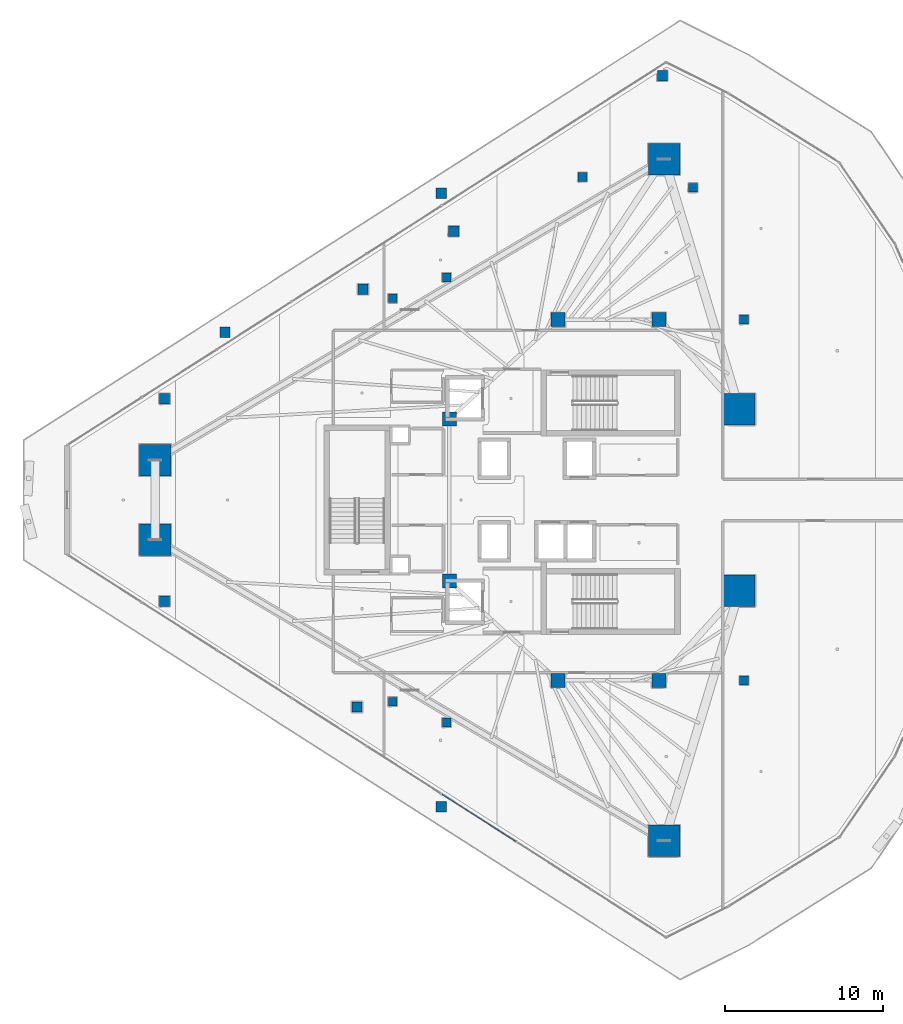
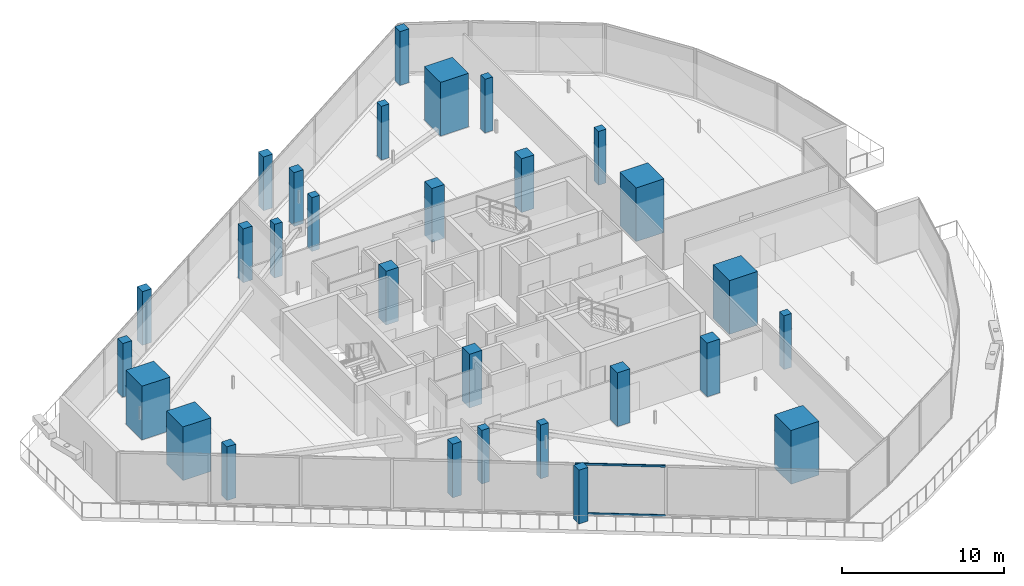
# One storey, part 1 of 39: 29 columns, 2 members, 1 element without a shape of its own.
"""IFC4 building model written with IfcOpenShell, lengths in metres."""

from ifc_helpers import new_model, si_unit, direction, frame, origin, origin_2d, place, context, subcontext, project, spatial, rectangle, hollow_rectangle, extrude, material, layer, layer_set, material_profile, profile_set, type_object, element, aggregate, save


model = new_model("IFC4")

# Units and contexts
model_context = context("Model", 3, precision=1e-05, world=origin(), true_north=direction((0.0, 1.0)))
body_context = subcontext(model_context, "Body", "Model", "MODEL_VIEW")
ifc_project = project(units=[si_unit("LENGTHUNIT", "METRE"), si_unit("AREAUNIT", "SQUARE_METRE"), si_unit("VOLUMEUNIT", "CUBIC_METRE"), si_unit("PLANEANGLEUNIT", "RADIAN"), si_unit("MASSUNIT", "GRAM", prefix="KILO")], contexts=[model_context])

# Site, building, storey
site_placement = place(None, origin())
site = spatial("IfcSite", under=ifc_project, at=site_placement, CompositionType="ELEMENT")
building_placement = place(site_placement, origin())
building = spatial("IfcBuilding", under=site, at=building_placement, Name="Qorvath Tower", CompositionType="ELEMENT")
storey_placement = place(building_placement, frame((0.0, 0.0, 201.0)))
storey = spatial("IfcBuildingStorey", under=building, at=storey_placement, Name="L46", CompositionType="ELEMENT", Elevation=201.0)

# Columns
ifc_material_1 = material(Name="Concrete C60/75", Category="concrete")
ifc_material_profile_1 = material_profile(ifc_material_1, rectangle(XDim=2.0, YDim=2.0, at=origin_2d()), Name="MC 2000x2000")
ifc_profile_set_1 = profile_set([ifc_material_profile_1], Name="Concrete C60/75")
column_type_1 = type_object("IfcColumnType", Name="COL-MC3", PredefinedType="COLUMN", material=ifc_profile_set_1)
for number, where, z_axis, x_axis, name in (
    (1, (-49.171875, 2.52783203125, 0.0), (0.0, 0.0, 1.0), (1.0, 0.0, 0.0), "Composite Mega-Column MC1 L46"),
    (2, (-49.171875, -2.52783203125, 0.0), (0.0, 0.0, 1.0), (1.0, 0.0, 0.0), "Composite Mega-Column MC2 L46"),
    (3, (-16.87158203125, -21.627197265625, 0.0), (0.0, 0.0, 1.0), (1.0, 0.0, 0.0), "Composite Mega-Column MC3 L46"),
    (4, (-12.0966796875, -5.7578125, 0.0), (0.0, 0.0, 1.0), (1.0, 0.0, 0.0), "Composite Mega-Column MC4 L46"),
    (5, (-12.0966796875, 5.7578125, 0.0), (0.0, 0.0, 1.0), (1.0, 0.0, 0.0), "Composite Mega-Column MC5 L46"),
    (6, (-16.87158203125, 21.627197265625, 0.0), (0.0, 0.0, 1.0), (1.0, 0.0, 0.0), "Composite Mega-Column MC6 L46"),
):
    element("IfcColumn", number, at=place(storey_placement, frame(where, z_axis=z_axis, x_axis=x_axis)), inside=storey, type_object=column_type_1, Name=name, PredefinedType="COLUMN", context=body_context, shape_type="SweptSolid", body=[
        extrude(rectangle(XDim=2.0, YDim=2.0, at=origin_2d()), origin(), (0.0, 0.0, 1.0), 4.050048828125),
    ])
ifc_material_2 = material(Name="Concrete C50/60", Category="concrete")
ifc_material_profile_2 = material_profile(ifc_material_2, rectangle(XDim=0.89990234375, YDim=0.89990234375, at=origin_2d()), Name="RC 900x900")
ifc_profile_set_2 = profile_set([ifc_material_profile_2], Name="Concrete C50/60")
column_type_2 = type_object("IfcColumnType", Name="COL-RC3", PredefinedType="COLUMN", material=ifc_profile_set_2)
for number, where, z_axis, x_axis, name in (
    (7, (-23.60009765625, 11.449951171875, 0.0), (0.0, 0.0, 1.0), (1.0, 0.0, 0.0), "Core Spine Column CC1 L46"),
    (8, (-17.199951171875, 11.449951171875, 0.0), (0.0, 0.0, 1.0), (1.0, 0.0, 0.0), "Core Spine Column CC2 L46"),
    (9, (-17.199951171875, -11.449951171875, 0.0), (0.0, 0.0, 1.0), (1.0, 0.0, 0.0), "Core Spine Column CC3 L46"),
    (10, (-23.60009765625, -11.449951171875, 0.0), (0.0, 0.0, 1.0), (1.0, 0.0, 0.0), "Core Spine Column CC4 L46"),
    (11, (-30.5, 5.14990234375, 0.0), (0.0, 0.0, 1.0), (1.0, 0.0, 0.0), "Core Spine Column CC5 L46"),
    (12, (-30.5, -5.14990234375, 0.0), (0.0, 0.0, 1.0), (1.0, 0.0, 0.0), "Core Spine Column CC6 L46"),
):
    element("IfcColumn", number, at=place(storey_placement, frame(where, z_axis=z_axis, x_axis=x_axis)), inside=storey, type_object=column_type_2, Name=name, PredefinedType="COLUMN", context=body_context, shape_type="SweptSolid", body=[
        extrude(rectangle(XDim=0.89990234375, YDim=0.89990234375, at=origin_2d()), origin(), (0.0, 0.0, 1.0), 4.050048828125),
    ])
ifc_material_3 = material(Name="Concrete C45/55", Category="concrete")
ifc_material_profile_3 = material_profile(ifc_material_3, rectangle(XDim=0.64990234375, YDim=0.64990234375, at=origin_2d()), Name="RC 650x650")
ifc_profile_set_3 = profile_set([ifc_material_profile_3], Name="Concrete C45/55")
column_type_3 = type_object("IfcColumnType", Name="COL-RC6", PredefinedType="COLUMN", material=ifc_profile_set_3)
for number, where, z_axis, x_axis, name in (
    (13, (-31.01611328125, 19.46044921875, 0.0), (0.0, 0.0, 1.0), (1.0, 0.0, 0.0), "Loggia Frame Pier Column LGD1 L46"),
    (14, (-31.01611328125, -19.46044921875, 0.0), (0.0, 0.0, 1.0), (1.0, 0.0, 0.0), "Loggia Frame Pier Column LGD2 L46"),
    (15, (-44.736328125, 10.65234375, 0.0), (0.0, 0.0, 1.0), (1.0, 0.0, 0.0), "Loggia Frame Pier Column LGD3 L46"),
    (16, (-48.578369140625, 6.424560546875, 0.0), (0.0, 0.0, 1.0), (1.0, 0.0, 0.0), "Loggia Frame Pier Column LGE1 L46"),
    (17, (-48.578369140625, -6.424560546875, 0.0), (0.0, 0.0, 1.0), (1.0, 0.0, 0.0), "Loggia Frame Pier Column LGE2 L46"),
    (18, (-16.981201171875, 26.92919921875, 0.0), (0.0, 0.0, 1.0), (1.0, 0.0, 0.0), "Loggia Frame Pier Column LGE3 L46"),
    (19, (-35.980712890625, 13.380859375, 0.0), (0.0, 0.0, 1.0), (1.0, 0.0, 0.0), "Loggia Frame Pier Column LGF1 L46"),
    (20, (-36.36474609375, -13.135498046875, 0.0), (0.0, 0.0, 1.0), (1.0, 0.0, 0.0), "Loggia Frame Pier Column LGF2 L46"),
    (21, (-30.224853515625, 17.0595703125, 0.0), (0.0, 0.0, 1.0), (1.0, 0.0, 0.0), "Loggia Frame Pier Column LGF3 L46"),
):
    element("IfcColumn", number, at=place(storey_placement, frame(where, z_axis=z_axis, x_axis=x_axis)), inside=storey, type_object=column_type_3, Name=name, PredefinedType="COLUMN", context=body_context, shape_type="SweptSolid", body=[
        extrude(rectangle(XDim=0.64990234375, YDim=0.64990234375, at=origin_2d()), origin(), (0.0, 0.0, 1.0), 4.050048828125),
    ])
ifc_material_4 = material(Name="Concrete C45/55", Category="concrete")
ifc_material_profile_4 = material_profile(ifc_material_4, rectangle(XDim=0.550048828125, YDim=0.550048828125, at=origin_2d()), Name="RC 550x550")
ifc_profile_set_4 = profile_set([ifc_material_profile_4], Name="Concrete C45/55")
column_type_4 = type_object("IfcColumnType", Name="COL-RC7", PredefinedType="COLUMN", material=ifc_profile_set_4)
for number, where, z_axis, x_axis, name in (
    (22, (-34.104248046875, 12.79248046875, 0.0), (0.0, 0.0, 1.0), (1.0, 0.0, 0.0), "Loggia Frame Pier Column LGG1 L46"),
    (23, (-34.104248046875, -12.79248046875, 0.0), (0.0, 0.0, 1.0), (1.0, 0.0, 0.0), "Loggia Frame Pier Column LGG2 L46"),
    (24, (-22.05322265625, 20.494873046875, 0.0), (0.0, 0.0, 1.0), (1.0, 0.0, 0.0), "Loggia Frame Pier Column LGG3 L46"),
    (25, (-30.67724609375, 14.124267578125, 0.0), (0.0, 0.0, 1.0), (1.0, 0.0, 0.0), "Loggia Frame Pier Column LGH1 L46"),
    (26, (-30.67724609375, -14.124267578125, 0.0), (0.0, 0.0, 1.0), (1.0, 0.0, 0.0), "Loggia Frame Pier Column LGH2 L46"),
    (27, (-15.046142578125, 19.818115234375, 0.0), (0.0, 0.0, 1.0), (1.0, 0.0, 0.0), "Loggia Frame Pier Column LGH3 L46"),
    (28, (-11.800048828125, -11.449951171875, 0.0), (0.0, 0.0, 1.0), (1.0, 0.0, 0.0), "Central Slot Jamb Column SC1 L46"),
    (29, (-11.800048828125, 11.449951171875, 0.0), (0.0, 0.0, 1.0), (1.0, 0.0, 0.0), "Central Slot Jamb Column SC2 L46"),
):
    element("IfcColumn", number, at=place(storey_placement, frame(where, z_axis=z_axis, x_axis=x_axis)), inside=storey, type_object=column_type_4, Name=name, PredefinedType="COLUMN", context=body_context, shape_type="SweptSolid", body=[
        extrude(rectangle(XDim=0.550048828125, YDim=0.550048828125, at=origin_2d()), origin(), (0.0, 0.0, 1.0), 4.050048828125),
    ])

# Curtain wall, members
ifc_material_5 = material(Name="Anodised aluminium and triple low-E glass", Category="aluminium")
ifc_layer = layer(ifc_material_5, 0.179931640625)
ifc_layer_set = layer_set([ifc_layer], Name="CW-SYS-3")
curtain_wall_type = type_object("IfcCurtainWallType", Name="CW-SYS-3", PredefinedType="NOTDEFINED", material=ifc_layer_set)
curtain_wall_placement = place(storey_placement, origin())
curtain_wall = element("IfcCurtainWall", 30, at=curtain_wall_placement, inside=storey, type_object=curtain_wall_type, Name="Curtain Wall CW-3 CW-T-L46-2.1", PredefinedType="NOTDEFINED")
ifc_material_6 = material(Name="Anodised aluminium 6063-T6", Category="aluminium")
ifc_material_profile_5 = material_profile(ifc_material_6, hollow_rectangle(XDim=0.06494140625, YDim=0.159912109375, WallThickness=0.00341796875, InnerFilletRadius=0.00341796875, OuterFilletRadius=0.007080078125, at=origin_2d()), Name="CWT 160x65")
ifc_profile_set_5 = profile_set([ifc_material_profile_5], Name="Anodised aluminium 6063-T6")
member_type = type_object("IfcMemberType", Name="CWT-160", PredefinedType="USERDEFINED", material=ifc_profile_set_5)
member_1_placement = place(storey_placement, frame((-30.972900390625, -18.67626953125, 0.032470703125), z_axis=(0.842606844645, -0.538529205667, 0.0), x_axis=(0.538529205667, 0.842606844645, 0.0)))
member_1 = element("IfcMember", 31, at=member_1_placement, type_object=member_type, Name="CW-3 transom 6.1", ObjectType="TRANSOM", PredefinedType="USERDEFINED", context=body_context, shape_type="SweptSolid", body=[
    extrude(hollow_rectangle(XDim=0.06494140625, YDim=0.159912109375, WallThickness=0.00341796875, InnerFilletRadius=0.00341796875, OuterFilletRadius=0.007080078125, at=origin_2d()), origin(), (0.0, 0.0, 1.0), 5.5751953125),
])
member_2_placement = place(storey_placement, frame((-30.972900390625, -18.67626953125, 3.74755859375), z_axis=(0.842606844645, -0.538529205667, 0.0), x_axis=(0.538529205667, 0.842606844645, 0.0)))
member_2 = element("IfcMember", 32, at=member_2_placement, type_object=member_type, Name="CW-3 transom 6.2", ObjectType="TRANSOM", PredefinedType="USERDEFINED", context=body_context, shape_type="SweptSolid", body=[
    extrude(hollow_rectangle(XDim=0.06494140625, YDim=0.159912109375, WallThickness=0.00341796875, InnerFilletRadius=0.00341796875, OuterFilletRadius=0.007080078125, at=origin_2d()), origin(), (0.0, 0.0, 1.0), 5.5751953125),
])
aggregate(curtain_wall, [member_1, member_2])

save(model, "model.ifc")
